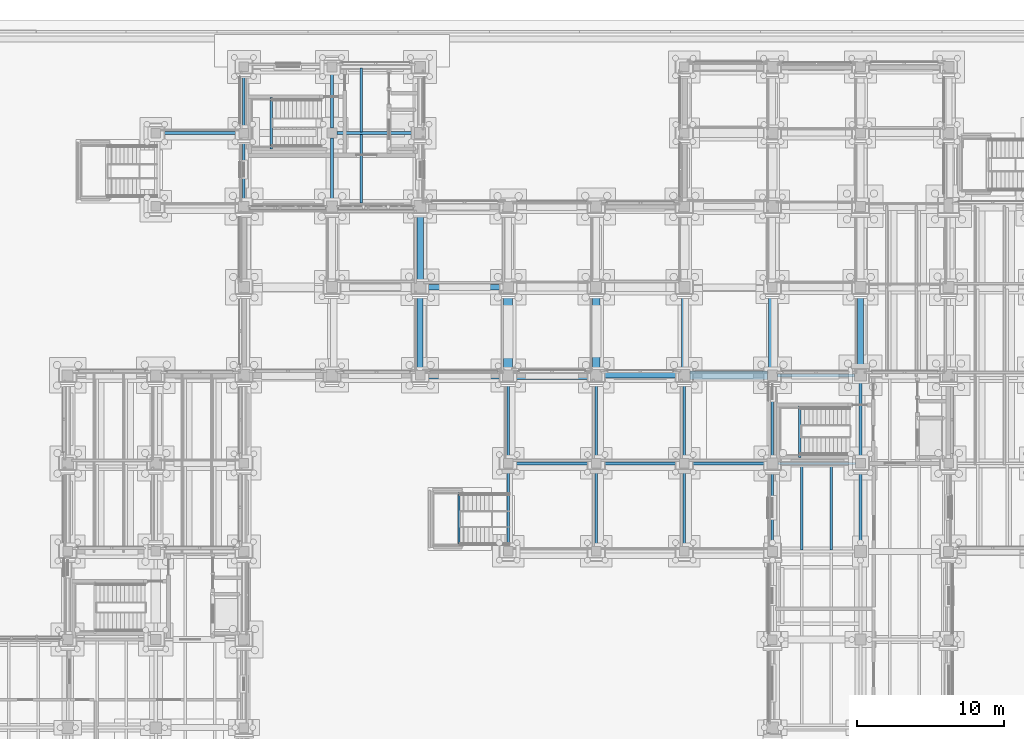
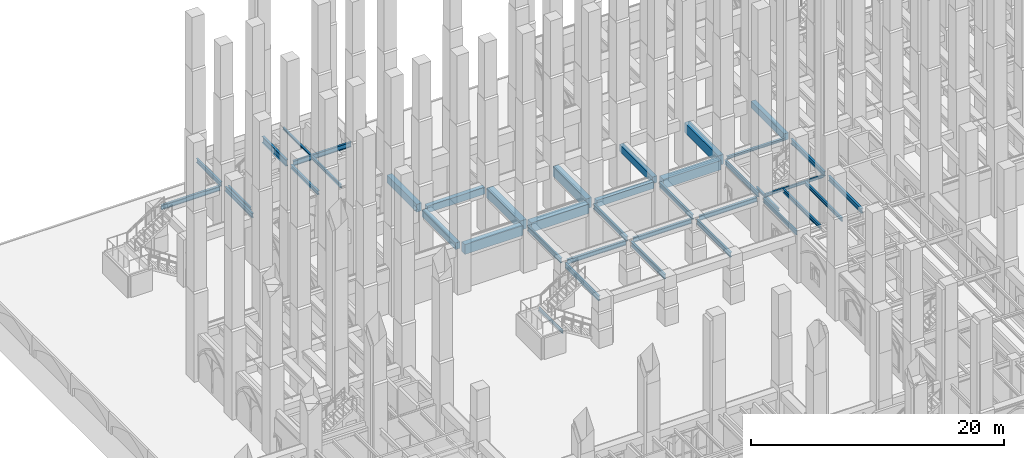
# One storey, part 32 of 135: 40 beams.
"""IFC4 building model written with IfcOpenShell, lengths in metres."""

from ifc_helpers import new_model, si_unit, direction, frame, origin, origin_2d, place, context, subcontext, project, spatial, rectangle, i_section, extrude, material, material_profile, profile_set, type_object, element, save


model = new_model("IFC4")

# Units and contexts
model_context = context("Model", 3, precision=1e-05, world=origin(), true_north=direction((0.0, 1.0)))
body_context = subcontext(model_context, "Body", "Model", "MODEL_VIEW")
ifc_project = project(units=[si_unit("LENGTHUNIT", "METRE"), si_unit("AREAUNIT", "SQUARE_METRE"), si_unit("VOLUMEUNIT", "CUBIC_METRE"), si_unit("PLANEANGLEUNIT", "RADIAN"), si_unit("MASSUNIT", "GRAM", prefix="KILO")], contexts=[model_context])

# Site, building, storey
site_placement = place(None, origin())
site = spatial("IfcSite", under=ifc_project, at=site_placement, CompositionType="ELEMENT")
building_placement = place(site_placement, origin())
building = spatial("IfcBuilding", under=site, at=building_placement, Name="Cumevento Cable Car Station", CompositionType="ELEMENT")
storey_placement = place(building_placement, origin())
storey = spatial("IfcBuildingStorey", under=building, at=storey_placement, Name="L01", CompositionType="ELEMENT", Elevation=0.0)

# Beams
ifc_material_1 = material(Name="Steel ASTM A572 Grade 50", Category="steel")
ifc_material_profile_1 = material_profile(ifc_material_1, i_section(OverallWidth=0.22802734375, OverallDepth=0.60791015625, WebThickness=0.01123046875, FlangeThickness=0.017333984375, at=origin_2d()), Name="W610x113.0")
ifc_profile_set_1 = profile_set([ifc_material_profile_1], Name="Steel ASTM A572 Grade 50")
beam_type_1 = type_object("IfcBeamType", Name="Structural Beam BM-02 W610x113.0", PredefinedType="BEAM", material=ifc_profile_set_1)
beam_1_placement = place(storey_placement, frame((28.0, 61.85009765625, 3.98388671875), z_axis=(0.0, 1.0, 0.0), x_axis=(-1.0, 0.0, 0.0)))
element("IfcBeam", 1, at=beam_1_placement, inside=storey, type_object=beam_type_1, Name="Beam BM-02 L01 #157", PredefinedType="BEAM", context=body_context, shape_type="SweptSolid", body=[
    extrude(i_section(OverallWidth=0.22802734375, OverallDepth=0.60791015625, WebThickness=0.01123046875, FlangeThickness=0.017333984375, at=origin_2d()), origin(), (0.0, 0.0, 1.0), 3.7998046875),
])
ifc_material_2 = material(Name="Steel ASTM A572 Grade 50", Category="steel")
ifc_material_profile_2 = material_profile(ifc_material_2, i_section(OverallWidth=0.18994140625, OverallDepth=0.45703125, WebThickness=0.009033203125, FlangeThickness=0.014404296875, at=origin_2d()), Name="W460x74.0")
ifc_profile_set_2 = profile_set([ifc_material_profile_2], Name="Steel ASTM A572 Grade 50")
beam_type_2 = type_object("IfcBeamType", Name="Structural Beam BM-04 W460x74.0", PredefinedType="BEAM", material=ifc_profile_set_2)
for number, where, z_axis, x_axis, name in (
    (2, (64.0, 33.39990234375, 4.011474609375), (0.0, 1.0, 0.0), (-1.0, 0.0, 0.0), "Beam BM-04 L01 #71"),
    (3, (64.0, 39.324951171875, 3.9814453125), (0.0, 1.0, 0.0), (-1.0, 0.0, 0.0), "Beam BM-04 L01 #80"),
):
    element("IfcBeam", number, at=place(storey_placement, frame(where, z_axis=z_axis, x_axis=x_axis)), inside=storey, type_object=beam_type_2, Name=name, PredefinedType="BEAM", context=body_context, shape_type="SweptSolid", body=[
        extrude(i_section(OverallWidth=0.18994140625, OverallDepth=0.45703125, WebThickness=0.009033203125, FlangeThickness=0.014404296875, at=origin_2d()), origin(), (0.0, 0.0, 1.0), 5.275146484375),
    ])
for number, where, z_axis, x_axis, name in (
    (4, (40.324951171875, 39.0, 4.021484375), (1.0, 0.0, 0.0), (0.0, 1.0, 0.0), "Terrace Girder BM-04 #4"),
    (5, (46.324951171875, 39.0, 4.021484375), (1.0, 0.0, 0.0), (0.0, 1.0, 0.0), "Terrace Girder BM-04 #5"),
):
    element("IfcBeam", number, at=place(storey_placement, frame(where, z_axis=z_axis, x_axis=x_axis)), inside=storey, type_object=beam_type_2, Name=name, PredefinedType="BEAM", context=body_context, shape_type="SweptSolid", body=[
        extrude(i_section(OverallWidth=0.18994140625, OverallDepth=0.45703125, WebThickness=0.009033203125, FlangeThickness=0.014404296875, at=origin_2d()), origin(), (0.0, 0.0, 1.0), 5.35009765625),
    ])
beam_2_placement = place(storey_placement, frame((52.324951171875, 39.0, 4.021484375), z_axis=(1.0, 0.0, 0.0), x_axis=(0.0, 1.0, 0.0)))
element("IfcBeam", 6, at=beam_2_placement, inside=storey, type_object=beam_type_2, Name="Terrace Girder BM-04 #6", PredefinedType="BEAM", context=body_context, shape_type="SweptSolid", body=[
    extrude(i_section(OverallWidth=0.18994140625, OverallDepth=0.45703125, WebThickness=0.009033203125, FlangeThickness=0.014404296875, at=origin_2d()), origin(), (0.0, 0.0, 1.0), 5.300048828125),
])
beam_3_placement = place(storey_placement, frame((40.0, 33.324951171875, 4.021484375), z_axis=(0.0, 1.0, 0.0), x_axis=(-1.0, 0.0, 0.0)))
element("IfcBeam", 7, at=beam_3_placement, inside=storey, type_object=beam_type_2, Name="Terrace Cross-Girder BM-04 #7", PredefinedType="BEAM", context=body_context, shape_type="SweptSolid", body=[
    extrude(i_section(OverallWidth=0.18994140625, OverallDepth=0.45703125, WebThickness=0.009033203125, FlangeThickness=0.014404296875, at=origin_2d()), origin(), (0.0, 0.0, 1.0), 5.35009765625),
])
beam_4_placement = place(storey_placement, frame((40.0, 39.324951171875, 4.021484375), z_axis=(0.0, 1.0, 0.0), x_axis=(-1.0, 0.0, 0.0)))
element("IfcBeam", 8, at=beam_4_placement, inside=storey, type_object=beam_type_2, Name="Terrace Cross-Girder BM-04 #8", PredefinedType="BEAM", context=body_context, shape_type="SweptSolid", body=[
    extrude(i_section(OverallWidth=0.18994140625, OverallDepth=0.45703125, WebThickness=0.009033203125, FlangeThickness=0.014404296875, at=origin_2d()), origin(), (0.0, 0.0, 1.0), 5.300048828125),
])
beam_5_placement = place(storey_placement, frame((46.0, 33.324951171875, 4.021484375), z_axis=(0.0, 1.0, 0.0), x_axis=(-1.0, 0.0, 0.0)))
element("IfcBeam", 9, at=beam_5_placement, inside=storey, type_object=beam_type_2, Name="Terrace Cross-Girder BM-04 #9", PredefinedType="BEAM", context=body_context, shape_type="SweptSolid", body=[
    extrude(i_section(OverallWidth=0.18994140625, OverallDepth=0.45703125, WebThickness=0.009033203125, FlangeThickness=0.014404296875, at=origin_2d()), origin(), (0.0, 0.0, 1.0), 5.35009765625),
])
beam_6_placement = place(storey_placement, frame((46.0, 39.324951171875, 4.021484375), z_axis=(0.0, 1.0, 0.0), x_axis=(-1.0, 0.0, 0.0)))
element("IfcBeam", 10, at=beam_6_placement, inside=storey, type_object=beam_type_2, Name="Terrace Cross-Girder BM-04 #10", PredefinedType="BEAM", context=body_context, shape_type="SweptSolid", body=[
    extrude(i_section(OverallWidth=0.18994140625, OverallDepth=0.45703125, WebThickness=0.009033203125, FlangeThickness=0.014404296875, at=origin_2d()), origin(), (0.0, 0.0, 1.0), 5.275146484375),
])
beam_7_placement = place(storey_placement, frame((52.0, 33.324951171875, 4.021484375), z_axis=(0.0, 1.0, 0.0), x_axis=(-1.0, 0.0, 0.0)))
element("IfcBeam", 11, at=beam_7_placement, inside=storey, type_object=beam_type_2, Name="Terrace Cross-Girder BM-04 #11", PredefinedType="BEAM", context=body_context, shape_type="SweptSolid", body=[
    extrude(i_section(OverallWidth=0.18994140625, OverallDepth=0.45703125, WebThickness=0.009033203125, FlangeThickness=0.014404296875, at=origin_2d()), origin(), (0.0, 0.0, 1.0), 5.35009765625),
])
beam_8_placement = place(storey_placement, frame((52.0, 39.324951171875, 4.021484375), z_axis=(0.0, 1.0, 0.0), x_axis=(-1.0, 0.0, 0.0)))
element("IfcBeam", 12, at=beam_8_placement, inside=storey, type_object=beam_type_2, Name="Terrace Cross-Girder BM-04 #12", PredefinedType="BEAM", context=body_context, shape_type="SweptSolid", body=[
    extrude(i_section(OverallWidth=0.18994140625, OverallDepth=0.45703125, WebThickness=0.009033203125, FlangeThickness=0.014404296875, at=origin_2d()), origin(), (0.0, 0.0, 1.0), 5.275146484375),
])
beam_9_placement = place(storey_placement, frame((16.324951171875, 61.5, 4.021484375), z_axis=(1.0, 0.0, 0.0), x_axis=(0.0, 1.0, 0.0)))
element("IfcBeam", 13, at=beam_9_placement, inside=storey, type_object=beam_type_2, Name="Terrace Girder BM-04 #18", PredefinedType="BEAM", context=body_context, shape_type="SweptSolid", body=[
    extrude(i_section(OverallWidth=0.18994140625, OverallDepth=0.45703125, WebThickness=0.009033203125, FlangeThickness=0.014404296875, at=origin_2d()), origin(), (0.0, 0.0, 1.0), 5.35009765625),
])
ifc_material_3 = material(Name="Steel ASTM A572 Grade 50", Category="steel")
ifc_material_profile_3 = material_profile(ifc_material_3, i_section(OverallWidth=0.205078125, OverallDepth=0.35400390625, WebThickness=0.009521484375, FlangeThickness=0.016845703125, at=origin_2d()), Name="W360x79.0")
ifc_profile_set_3 = profile_set([ifc_material_profile_3], Name="Steel ASTM A572 Grade 50")
beam_type_3 = type_object("IfcBeamType", Name="Structural Beam BM-05 W360x79.0", PredefinedType="BEAM", material=ifc_profile_set_3)
beam_10_placement = place(storey_placement, frame((28.0, 56.875, 4.111083984375), z_axis=(0.0, 1.0, 0.0), x_axis=(-1.0, 0.0, 0.0)))
element("IfcBeam", 14, at=beam_10_placement, inside=storey, type_object=beam_type_3, Name="Beam BM-05 L01 #156", PredefinedType="BEAM", context=body_context, shape_type="SweptSolid", body=[
    extrude(i_section(OverallWidth=0.205078125, OverallDepth=0.35400390625, WebThickness=0.009521484375, FlangeThickness=0.016845703125, at=origin_2d()), origin(), (0.0, 0.0, 1.0), 4.27490234375),
])
ifc_material_4 = material(Name="Steel ASTM A572 Grade 50", Category="steel")
ifc_material_profile_4 = material_profile(ifc_material_4, i_section(OverallWidth=0.14794921875, OverallDepth=0.26611328125, WebThickness=0.007568359375, FlangeThickness=0.012939453125, at=origin_2d()), Name="W250x44.8")
ifc_profile_set_4 = profile_set([ifc_material_profile_4], Name="Steel ASTM A572 Grade 50")
beam_type_4 = type_object("IfcBeamType", Name="Structural Beam BM-07 W250x44.8", PredefinedType="BEAM", material=ifc_profile_set_4)
beam_11_placement = place(storey_placement, frame((58.375, 39.0, 4.10693359375), z_axis=(1.0, 0.0, 0.0), x_axis=(0.0, 1.0, 0.0)))
element("IfcBeam", 15, at=beam_11_placement, inside=storey, type_object=beam_type_4, Name="Beam BM-07 L01 #60", PredefinedType="BEAM", context=body_context, shape_type="SweptSolid", body=[
    extrude(i_section(OverallWidth=0.14794921875, OverallDepth=0.26611328125, WebThickness=0.007568359375, FlangeThickness=0.012939453125, at=origin_2d()), origin(), (0.0, 0.0, 1.0), 5.300048828125),
])
for number, where, z_axis, x_axis, name in (
    (16, (59.860107421875, 39.39990234375, 1.93408203125), (0.0, 1.0, 0.0), (-1.0, 0.0, 0.0), "Core Stair Half-Landing Trimmer ST-01-L01"),
    (17, (23.860107421875, 60.39990234375, 1.909912109375), (0.0, 1.0, 0.0), (-1.0, 0.0, 0.0), "Core Stair Half-Landing Trimmer ST-04-L01"),
):
    element("IfcBeam", number, at=place(storey_placement, frame(where, z_axis=z_axis, x_axis=x_axis)), inside=storey, type_object=beam_type_4, Name=name, PredefinedType="BEAM", context=body_context, shape_type="SweptSolid", body=[
        extrude(i_section(OverallWidth=0.14794921875, OverallDepth=0.26611328125, WebThickness=0.007568359375, FlangeThickness=0.012939453125, at=origin_2d()), origin(), (0.0, 0.0, 1.0), 3.52001953125),
    ])
beam_12_placement = place(storey_placement, frame((36.659912109375, 33.320068359375, 1.93408203125), z_axis=(0.0, 1.0, 0.0), x_axis=(-1.0, 0.0, 0.0)))
element("IfcBeam", 18, at=beam_12_placement, inside=storey, type_object=beam_type_4, Name="Stair Half-Landing Trimmer ST-14", PredefinedType="BEAM", context=body_context, shape_type="SweptSolid", body=[
    extrude(i_section(OverallWidth=0.14794921875, OverallDepth=0.26611328125, WebThickness=0.007568359375, FlangeThickness=0.012939453125, at=origin_2d()), origin(), (0.0, 0.0, 1.0), 3.760009765625),
])
ifc_material_5 = material(Name="Steel ASTM A572 Grade 50", Category="steel")
ifc_material_profile_5 = material_profile(ifc_material_5, i_section(OverallWidth=0.202880859375, OverallDepth=0.251953125, WebThickness=0.008056640625, FlangeThickness=0.013427734375, at=origin_2d()), Name="W250x58.0")
ifc_profile_set_5 = profile_set([ifc_material_profile_5], Name="Steel ASTM A572 Grade 50")
beam_type_5 = type_object("IfcBeamType", Name="Structural Beam BM-08 W250x58.0", PredefinedType="BEAM", material=ifc_profile_set_5)
beam_13_placement = place(storey_placement, frame((58.35009765625, 45.0, 4.083984375), z_axis=(1.0, 0.0, 0.0), x_axis=(0.0, 1.0, 0.0)))
element("IfcBeam", 19, at=beam_13_placement, inside=storey, type_object=beam_type_5, Name="Beam BM-08 L01 #77", PredefinedType="BEAM", context=body_context, shape_type="SweptSolid", body=[
    extrude(i_section(OverallWidth=0.202880859375, OverallDepth=0.251953125, WebThickness=0.008056640625, FlangeThickness=0.013427734375, at=origin_2d()), origin(), (0.0, 0.0, 1.0), 5.25),
])
ifc_material_6 = material(Name="Steel ASTM A572 Grade 50", Category="steel")
ifc_material_profile_6 = material_profile(ifc_material_6, i_section(OverallWidth=0.19189453125, OverallDepth=0.462890625, WebThickness=0.010498046875, FlangeThickness=0.017578125, at=origin_2d()), Name="W460x89.0")
ifc_profile_set_6 = profile_set([ifc_material_profile_6], Name="Steel ASTM A572 Grade 50")
beam_type_6 = type_object("IfcBeamType", Name="Structural Beam BM-10 W460x89.0", PredefinedType="BEAM", material=ifc_profile_set_6)
beam_14_placement = place(storey_placement, frame((28.35009765625, 61.5, 4.056396484375), z_axis=(1.0, 0.0, 0.0), x_axis=(0.0, 1.0, 0.0)))
element("IfcBeam", 20, at=beam_14_placement, inside=storey, type_object=beam_type_6, Name="Beam BM-10 L01 #151", PredefinedType="BEAM", context=body_context, shape_type="SweptSolid", body=[
    extrude(i_section(OverallWidth=0.19189453125, OverallDepth=0.462890625, WebThickness=0.010498046875, FlangeThickness=0.017578125, at=origin_2d()), origin(), (0.0, 0.0, 1.0), 5.27490234375),
])
ifc_material_7 = material(Name="Concrete C40/50", Category="concrete")
ifc_material_profile_7 = material_profile(ifc_material_7, rectangle(XDim=0.60009765625, YDim=0.89990234375, at=origin_2d()), Name="RC600x900")
ifc_profile_set_7 = profile_set([ifc_material_profile_7], Name="Concrete C40/50")
beam_type_7 = type_object("IfcBeamType", Name="Structural Beam TB-01 RC600x900", PredefinedType="BEAM", material=ifc_profile_set_7)
beam_15_placement = place(storey_placement, frame((40.375, 45.0, 3.800048828125), z_axis=(1.0, 0.0, 0.0), x_axis=(0.0, 1.0, 0.0)))
element("IfcBeam", 21, at=beam_15_placement, inside=storey, type_object=beam_type_7, Name="Beam TB-01 L01 #127", PredefinedType="BEAM", context=body_context, shape_type="SweptSolid", body=[
    extrude(rectangle(XDim=0.60009765625, YDim=0.89990234375, at=origin_2d()), origin(), (0.0, 0.0, 1.0), 5.22509765625),
])
beam_16_placement = place(storey_placement, frame((40.0, 45.375, 3.800048828125), z_axis=(0.0, 1.0, 0.0), x_axis=(-1.0, 0.0, 0.0)))
element("IfcBeam", 22, at=beam_16_placement, inside=storey, type_object=beam_type_7, Name="Beam TB-01 L01 #145", PredefinedType="BEAM", context=body_context, shape_type="SweptSolid", body=[
    extrude(rectangle(XDim=0.60009765625, YDim=0.89990234375, at=origin_2d()), origin(), (0.0, 0.0, 1.0), 5.27490234375),
])
beam_17_placement = place(storey_placement, frame((52.39990234375, 45.0, 3.7900390625), z_axis=(1.0, 0.0, 0.0), x_axis=(0.0, 1.0, 0.0)))
element("IfcBeam", 23, at=beam_17_placement, inside=storey, type_object=beam_type_7, Name="Beam TB-01 L01 #160", PredefinedType="BEAM", context=body_context, shape_type="SweptSolid", body=[
    extrude(rectangle(XDim=0.60009765625, YDim=0.89990234375, at=origin_2d()), origin(), (0.0, 0.0, 1.0), 5.25),
])
ifc_material_8 = material(Name="Concrete C40/50", Category="concrete")
ifc_material_profile_8 = material_profile(ifc_material_8, rectangle(XDim=0.449951171875, YDim=0.75, at=origin_2d()), Name="RC450x750")
ifc_profile_set_8 = profile_set([ifc_material_profile_8], Name="Concrete C40/50")
beam_type_8 = type_object("IfcBeamType", Name="Structural Beam TB-02 RC450x750", PredefinedType="BEAM", material=ifc_profile_set_8)
beam_18_placement = place(storey_placement, frame((34.0, 51.39990234375, 3.9130859375), z_axis=(0.0, 1.0, 0.0), x_axis=(-1.0, 0.0, 0.0)))
element("IfcBeam", 24, at=beam_18_placement, inside=storey, type_object=beam_type_8, Name="Beam TB-02 L01 #144", PredefinedType="BEAM", context=body_context, shape_type="SweptSolid", body=[
    extrude(rectangle(XDim=0.449951171875, YDim=0.75, at=origin_2d()), origin(), (0.0, 0.0, 1.0), 4.7001953125),
])
ifc_material_9 = material(Name="Concrete C40/50", Category="concrete")
ifc_material_profile_9 = material_profile(ifc_material_9, rectangle(XDim=0.39990234375, YDim=0.64990234375, at=origin_2d()), Name="RC400x650")
ifc_profile_set_9 = profile_set([ifc_material_profile_9], Name="Concrete C40/50")
beam_type_9 = type_object("IfcBeamType", Name="Structural Beam TB-03 RC400x650", PredefinedType="BEAM", material=ifc_profile_set_9)
beam_19_placement = place(storey_placement, frame((46.39990234375, 45.0, 3.925048828125), z_axis=(1.0, 0.0, 0.0), x_axis=(0.0, 1.0, 0.0)))
element("IfcBeam", 25, at=beam_19_placement, inside=storey, type_object=beam_type_9, Name="Beam TB-03 L01 #128", PredefinedType="BEAM", context=body_context, shape_type="SweptSolid", body=[
    extrude(rectangle(XDim=0.39990234375, YDim=0.64990234375, at=origin_2d()), origin(), (0.0, 0.0, 1.0), 5.2001953125),
])
beam_20_placement = place(storey_placement, frame((34.39990234375, 51.0, 3.925048828125), z_axis=(1.0, 0.0, 0.0), x_axis=(0.0, 1.0, 0.0)))
element("IfcBeam", 26, at=beam_20_placement, inside=storey, type_object=beam_type_9, Name="Beam TB-03 L01 #131", PredefinedType="BEAM", context=body_context, shape_type="SweptSolid", body=[
    extrude(rectangle(XDim=0.39990234375, YDim=0.64990234375, at=origin_2d()), origin(), (0.0, 0.0, 1.0), 5.25),
])
beam_21_placement = place(storey_placement, frame((34.0, 45.324951171875, 3.925048828125), z_axis=(0.0, 1.0, 0.0), x_axis=(-1.0, 0.0, 0.0)))
element("IfcBeam", 27, at=beam_21_placement, inside=storey, type_object=beam_type_9, Name="Beam TB-03 L01 #143", PredefinedType="BEAM", context=body_context, shape_type="SweptSolid", body=[
    extrude(rectangle(XDim=0.39990234375, YDim=0.64990234375, at=origin_2d()), origin(), (0.0, 0.0, 1.0), 5.275146484375),
])
for number, where, z_axis, x_axis, name in (
    (28, (52.0, 45.39990234375, 3.925048828125), (0.0, 1.0, 0.0), (-1.0, 0.0, 0.0), "Beam TB-03 L01 #149"),
    (29, (64.0, 45.39990234375, 3.885009765625), (0.0, 1.0, 0.0), (-1.0, 0.0, 0.0), "Beam TB-03 L01 #167"),
):
    element("IfcBeam", number, at=place(storey_placement, frame(where, z_axis=z_axis, x_axis=x_axis)), inside=storey, type_object=beam_type_9, Name=name, PredefinedType="BEAM", context=body_context, shape_type="SweptSolid", body=[
        extrude(rectangle(XDim=0.39990234375, YDim=0.64990234375, at=origin_2d()), origin(), (0.0, 0.0, 1.0), 5.22509765625),
    ])
ifc_material_10 = material(Name="Concrete C40/50", Category="concrete")
ifc_material_profile_10 = material_profile(ifc_material_10, rectangle(XDim=0.5, YDim=0.949951171875, at=origin_2d()), Name="RC500x950")
ifc_profile_set_10 = profile_set([ifc_material_profile_10], Name="Concrete C40/50")
beam_type_10 = type_object("IfcBeamType", Name="Structural Beam TB-04 RC500x950", PredefinedType="BEAM", material=ifc_profile_set_10)
beam_22_placement = place(storey_placement, frame((34.324951171875, 45.0, 3.77490234375), z_axis=(1.0, 0.0, 0.0), x_axis=(0.0, 1.0, 0.0)))
element("IfcBeam", 30, at=beam_22_placement, inside=storey, type_object=beam_type_10, Name="Beam TB-04 L01 #126", PredefinedType="BEAM", context=body_context, shape_type="SweptSolid", body=[
    extrude(rectangle(XDim=0.5, YDim=0.949951171875, at=origin_2d()), origin(), (0.0, 0.0, 1.0), 5.300048828125),
])
beam_23_placement = place(storey_placement, frame((46.0, 45.39990234375, 3.77490234375), z_axis=(0.0, 1.0, 0.0), x_axis=(-1.0, 0.0, 0.0)))
element("IfcBeam", 31, at=beam_23_placement, inside=storey, type_object=beam_type_10, Name="Beam TB-04 L01 #147", PredefinedType="BEAM", context=body_context, shape_type="SweptSolid", body=[
    extrude(rectangle(XDim=0.5, YDim=0.949951171875, at=origin_2d()), origin(), (0.0, 0.0, 1.0), 5.22509765625),
])
beam_24_placement = place(storey_placement, frame((58.0, 45.35009765625, 3.764892578125), z_axis=(0.0, 1.0, 0.0), x_axis=(-1.0, 0.0, 0.0)))
element("IfcBeam", 32, at=beam_24_placement, inside=storey, type_object=beam_type_10, Name="Beam TB-04 L01 #165", PredefinedType="BEAM", context=body_context, shape_type="SweptSolid", body=[
    extrude(rectangle(XDim=0.5, YDim=0.949951171875, at=origin_2d()), origin(), (0.0, 0.0, 1.0), 5.324951171875),
])
ifc_material_11 = material(Name="Steel ASTM A572 Grade 50", Category="steel")
ifc_material_profile_11 = material_profile(ifc_material_11, i_section(OverallWidth=0.1708984375, OverallDepth=0.35498046875, WebThickness=0.007080078125, FlangeThickness=0.01171875, at=origin_2d()), Name="W360x51.0")
ifc_profile_set_11 = profile_set([ifc_material_profile_11], Name="Steel ASTM A572 Grade 50")
beam_type_11 = type_object("IfcBeamType", Name="Structural Joist JS-01 W360x51.0", PredefinedType="JOIST", material=ifc_profile_set_11)
for number, where, z_axis, x_axis, name in (
    (33, (60.0, 33.090576171875, 4.0625), (0.0, 1.0, 0.0), (-1.0, 0.0, 0.0), "Composite Floor Joist JS-01 L01 #338"),
    (34, (62.0, 33.090576171875, 4.0625), (0.0, 1.0, 0.0), (-1.0, 0.0, 0.0), "Composite Floor Joist JS-01 L01 #342"),
):
    element("IfcBeam", number, at=place(storey_placement, frame(where, z_axis=z_axis, x_axis=x_axis)), inside=storey, type_object=beam_type_11, Name=name, PredefinedType="JOIST", context=body_context, shape_type="SweptSolid", body=[
        extrude(i_section(OverallWidth=0.1708984375, OverallDepth=0.35498046875, WebThickness=0.007080078125, FlangeThickness=0.01171875, at=origin_2d()), origin(), (0.0, 0.0, 1.0), 5.847412109375),
    ])
ifc_material_12 = material(Name="Steel ASTM A572 Grade 50", Category="steel")
ifc_material_profile_12 = material_profile(ifc_material_12, i_section(OverallWidth=0.1650390625, OverallDepth=0.31005859375, WebThickness=0.005859375, FlangeThickness=0.009765625, at=origin_2d()), Name="W310x38.7")
ifc_profile_set_12 = profile_set([ifc_material_profile_12], Name="Steel ASTM A572 Grade 50")
beam_type_12 = type_object("IfcBeamType", Name="Structural Joist JS-03 W310x38.7", PredefinedType="JOIST", material=ifc_profile_set_12)
beam_25_placement = place(storey_placement, frame((30.0, 56.738037109375, 4.133056640625), z_axis=(0.0, 1.0, 0.0), x_axis=(-1.0, 0.0, 0.0)))
element("IfcBeam", 35, at=beam_25_placement, inside=storey, type_object=beam_type_12, Name="Composite Floor Joist JS-03 L01 #383", PredefinedType="JOIST", context=body_context, shape_type="SweptSolid", body=[
    extrude(i_section(OverallWidth=0.1650390625, OverallDepth=0.31005859375, WebThickness=0.005859375, FlangeThickness=0.009765625, at=origin_2d()), origin(), (0.0, 0.0, 1.0), 4.677978515625),
])
ifc_material_13 = material(Name="Steel ASTM A572 Grade 50", Category="steel")
ifc_material_profile_13 = material_profile(ifc_material_13, i_section(OverallWidth=0.1650390625, OverallDepth=0.200927734375, WebThickness=0.006103515625, FlangeThickness=0.01025390625, at=origin_2d()), Name="W200x35.9")
ifc_profile_set_13 = profile_set([ifc_material_profile_13], Name="Steel ASTM A572 Grade 50")
beam_type_13 = type_object("IfcBeamType", Name="Structural Joist JS-04 W200x35.9", PredefinedType="JOIST", material=ifc_profile_set_13)
beam_26_placement = place(storey_placement, frame((30.0, 61.583984375, 4.1875), z_axis=(0.0, 1.0, 0.0), x_axis=(-1.0, 0.0, 0.0)))
element("IfcBeam", 36, at=beam_26_placement, inside=storey, type_object=beam_type_13, Name="Composite Floor Joist JS-04 L01 #384", PredefinedType="JOIST", context=body_context, shape_type="SweptSolid", body=[
    extrude(i_section(OverallWidth=0.1650390625, OverallDepth=0.200927734375, WebThickness=0.006103515625, FlangeThickness=0.01025390625, at=origin_2d()), origin(), (0.0, 0.0, 1.0), 4.339111328125),
])
ifc_material_14 = material(Name="Steel ASTM A572 Grade 50", Category="steel")
ifc_material_profile_14 = material_profile(ifc_material_14, i_section(OverallWidth=0.177978515625, OverallDepth=0.406982421875, WebThickness=0.0078125, FlangeThickness=0.0126953125, at=origin_2d()), Name="W410x60.0")
ifc_profile_set_14 = profile_set([ifc_material_profile_14], Name="Steel ASTM A572 Grade 50")
beam_type_14 = type_object("IfcBeamType", Name="Structural Spandrel SP-01 W410x60.0", PredefinedType="SPANDREL", material=ifc_profile_set_14)
for number, where, z_axis, x_axis, name in (
    (37, (58.0, 33.35009765625, 4.03662109375), (0.0, 1.0, 0.0), (-1.0, 0.0, 0.0), "Beam SP-01 L01 #66"),
    (38, (58.0, 39.375, 4.03662109375), (0.0, 1.0, 0.0), (-1.0, 0.0, 0.0), "Beam SP-01 L01 #79"),
):
    element("IfcBeam", number, at=place(storey_placement, frame(where, z_axis=z_axis, x_axis=x_axis)), inside=storey, type_object=beam_type_14, Name=name, PredefinedType="SPANDREL", context=body_context, shape_type="SweptSolid", body=[
        extrude(i_section(OverallWidth=0.177978515625, OverallDepth=0.406982421875, WebThickness=0.0078125, FlangeThickness=0.0126953125, at=origin_2d()), origin(), (0.0, 0.0, 1.0), 5.27490234375),
    ])
beam_27_placement = place(storey_placement, frame((22.0, 56.85009765625, 4.04638671875), z_axis=(0.0, 1.0, 0.0), x_axis=(-1.0, 0.0, 0.0)))
element("IfcBeam", 39, at=beam_27_placement, inside=storey, type_object=beam_type_14, Name="Beam SP-01 L01 #154", PredefinedType="SPANDREL", context=body_context, shape_type="SweptSolid", body=[
    extrude(i_section(OverallWidth=0.177978515625, OverallDepth=0.406982421875, WebThickness=0.0078125, FlangeThickness=0.0126953125, at=origin_2d()), origin(), (0.0, 0.0, 1.0), 4.324951171875),
])
beam_28_placement = place(storey_placement, frame((22.0, 61.824951171875, 4.04638671875), z_axis=(0.0, 1.0, 0.0), x_axis=(-1.0, 0.0, 0.0)))
element("IfcBeam", 40, at=beam_28_placement, inside=storey, type_object=beam_type_14, Name="Beam SP-01 L01 #155", PredefinedType="SPANDREL", context=body_context, shape_type="SweptSolid", body=[
    extrude(i_section(OverallWidth=0.177978515625, OverallDepth=0.406982421875, WebThickness=0.0078125, FlangeThickness=0.0126953125, at=origin_2d()), origin(), (0.0, 0.0, 1.0), 3.85009765625),
])

save(model, "model.ifc")
